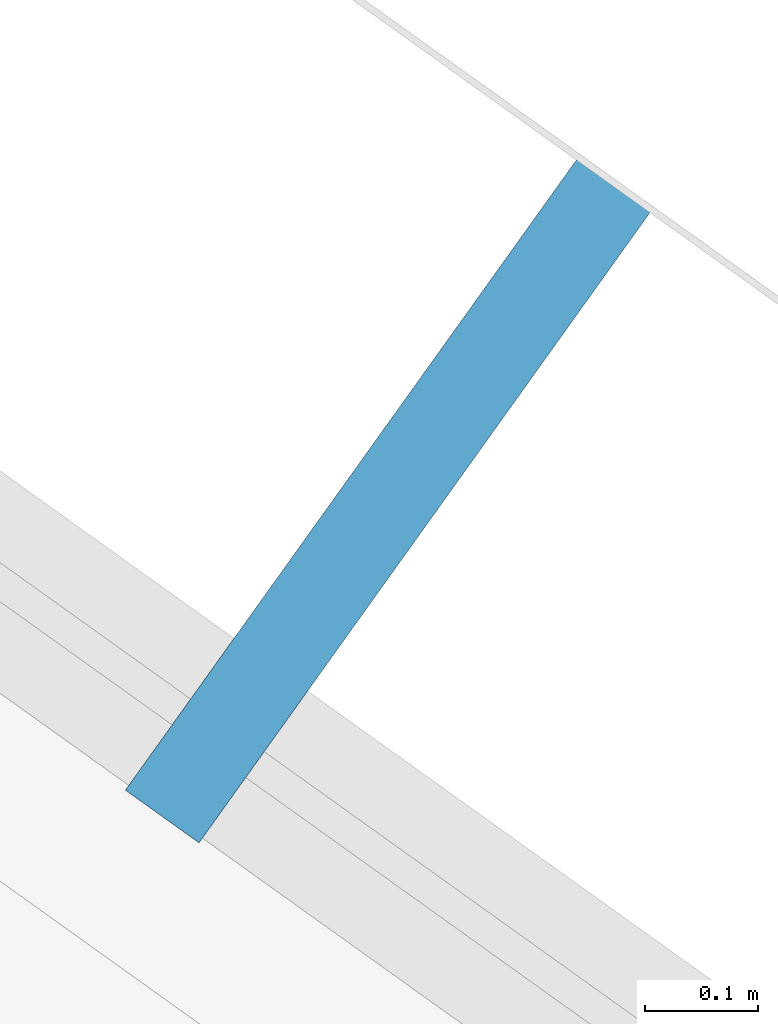
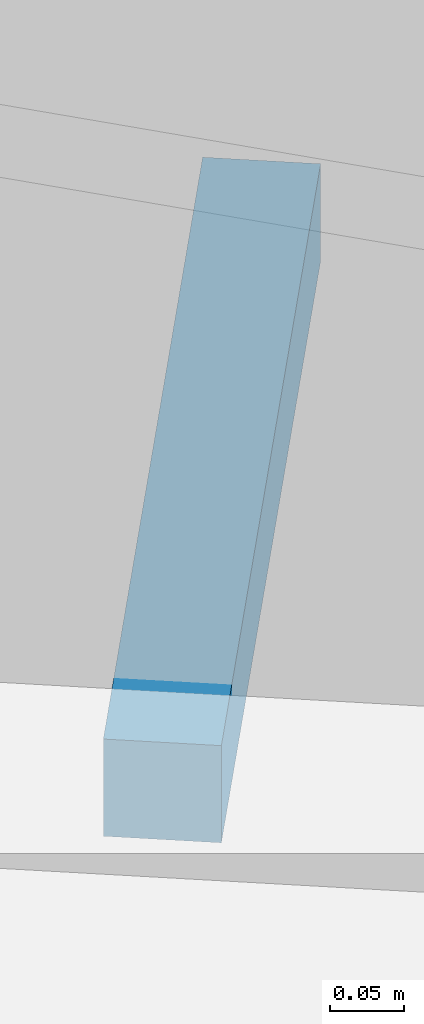
# One storey, part 15 of 18: 1 discrete accessory.
"""IFC4 building model written with IfcOpenShell, lengths in metres."""

from ifc_helpers import new_model, si_unit, direction, frame, origin, origin_2d, place, context, subcontext, project, spatial, rectangle, extrude, element, save


model = new_model("IFC4")

# Units and contexts
model_context = context("Model", 3, precision=1e-05, world=origin(), true_north=direction((0.0, 1.0)))
body_context = subcontext(model_context, "Body", "Model", "MODEL_VIEW")
ifc_project = project(units=[si_unit("LENGTHUNIT", "METRE"), si_unit("AREAUNIT", "SQUARE_METRE"), si_unit("VOLUMEUNIT", "CUBIC_METRE"), si_unit("PLANEANGLEUNIT", "RADIAN"), si_unit("MASSUNIT", "GRAM", prefix="KILO")], contexts=[model_context])

# Site, building, storey
site_placement = place(None, origin())
site = spatial("IfcSite", under=ifc_project, at=site_placement, CompositionType="ELEMENT")
building_placement = place(site_placement, origin())
building = spatial("IfcBuilding", under=site, at=building_placement, Name="Lantaw Convention Tower", CompositionType="ELEMENT")
storey_placement = place(building_placement, frame((0.0, 0.0, 134.199951171875)))
storey = spatial("IfcBuildingStorey", under=building, at=storey_placement, Name="L31", CompositionType="ELEMENT", Elevation=134.199951171875)

# Discrete accessory
discrete_accessory_placement = place(storey_placement, frame((22.044189453125, 14.10546875, -0.114990234375), z_axis=(0.0, 0.0, 1.0), x_axis=(-0.813208325995, 0.581972695693, 0.0)))
element("IfcDiscreteAccessory", 1, at=discrete_accessory_placement, inside=storey, Name="Screen bracket", PredefinedType="BRACKET", context=body_context, shape_type="SweptSolid", body=[
    extrude(rectangle(XDim=0.080078125, YDim=0.68798828125, at=origin_2d()), origin(), (0.0, 0.0, 1.0), 0.080078125),
])

save(model, "model.ifc")
